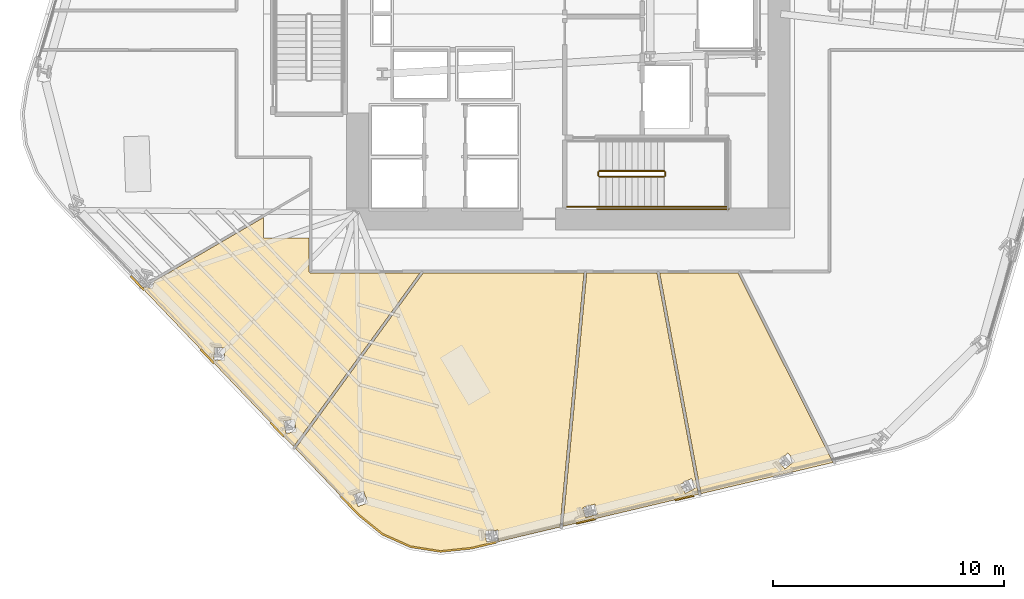
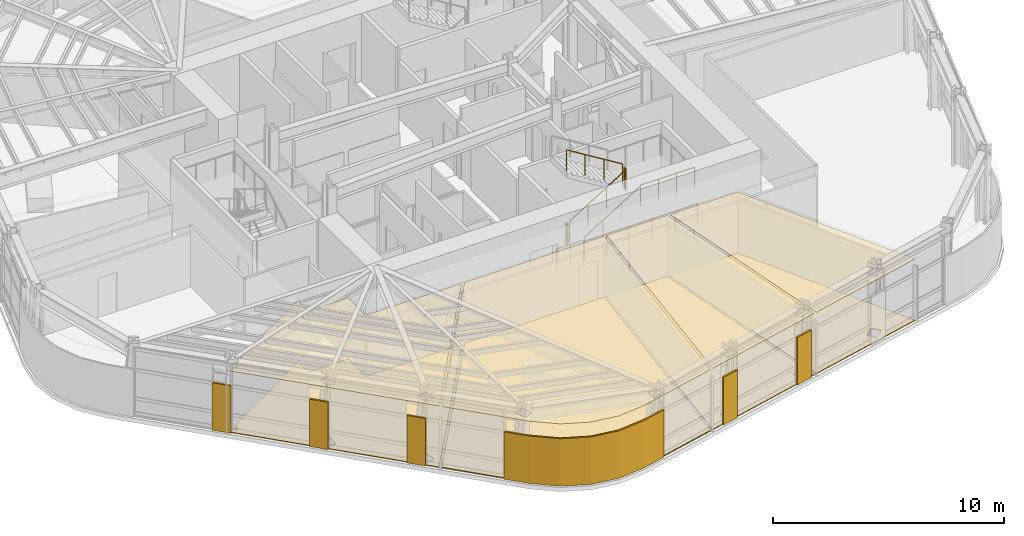
# One storey, part 12 of 17: 14 coverings, 8 railings.
"""IFC4 building model written with IfcOpenShell, lengths in metres."""

from ifc_helpers import new_model, si_unit, direction, frame, origin, origin_2d, place, context, subcontext, project, spatial, polyline, circle, outline, extrude, material, layer, layer_set, type_object, element, save


model = new_model("IFC4")

# Units and contexts
model_context = context("Model", 3, precision=1e-05, world=origin(), true_north=direction((0.0, 1.0)))
body_context = subcontext(model_context, "Body", "Model", "MODEL_VIEW")
ifc_project = project(units=[si_unit("LENGTHUNIT", "METRE"), si_unit("AREAUNIT", "SQUARE_METRE"), si_unit("VOLUMEUNIT", "CUBIC_METRE"), si_unit("PLANEANGLEUNIT", "RADIAN"), si_unit("MASSUNIT", "GRAM", prefix="KILO")], contexts=[model_context])

# Site, building, storey
site_placement = place(None, origin())
site = spatial("IfcSite", under=ifc_project, at=site_placement, CompositionType="ELEMENT")
building_placement = place(site_placement, origin())
building = spatial("IfcBuilding", under=site, at=building_placement, Name="Valkerne Bourse Tower", CompositionType="ELEMENT")
storey_placement = place(building_placement, frame((0.0, 0.0, 82.0)))
storey = spatial("IfcBuildingStorey", under=building, at=storey_placement, Name="L20", CompositionType="ELEMENT", Elevation=82.0)

# Coverings
ifc_material_1 = material(Name="Mineral Fiber Acoustic Ceiling Tile", Category="acoustic")
ifc_layer_1 = layer(ifc_material_1, 0.02490234375)
ifc_layer_set_1 = layer_set([ifc_layer_1], Name="Mineral Fiber Acoustic Ceiling Tile")
covering_type_1 = type_object("IfcCoveringType", Name="COV-CEIL-ACT", PredefinedType="CEILING", material=ifc_layer_set_1)
covering_1_placement = place(storey_placement, frame((0.0, 0.0, 3.22998046875)))
element("IfcCovering", 1, at=covering_1_placement, inside=storey, type_object=covering_type_1, Name="L20 Suspended Ceiling 03", PredefinedType="CEILING", context=body_context, shape_type="SweptSolid", body=[
    extrude(outline(polyline([(54.152099609375, 15.781005859375), (58.258544921875, 7.580322265625), (52.54736328125, 6.228515625), (50.759521484375, 15.781005859375), (54.152099609375, 15.781005859375)]), holes=[polyline([(56.180908203125, 7.2998046875), (56.5966796875, 7.6396484375), (56.312744140625, 7.988525390625), (56.309814453125, 7.987060546875), (55.89404296875, 7.6474609375), (56.177978515625, 7.298583984375), (56.180908203125, 7.2998046875)])]), origin(), (0.0, 0.0, 1.0), 0.02490234375),
])
covering_2_placement = place(storey_placement, frame((0.0, 0.0, 3.22998046875)))
element("IfcCovering", 2, at=covering_2_placement, inside=storey, type_object=covering_type_1, Name="L20 Suspended Ceiling 04", PredefinedType="CEILING", context=body_context, shape_type="SweptSolid", body=[
    extrude(outline(polyline([(50.6396484375, 15.781005859375), (52.432373046875, 6.201416015625), (46.56201171875, 4.811767578125), (47.598876953125, 15.781005859375), (50.6396484375, 15.781005859375)]), holes=[polyline([(48.070556640625, 5.33935546875), (47.94921875, 5.7724609375), (47.946044921875, 5.7724609375), (47.42919921875, 5.62646484375), (47.55078125, 5.193359375), (47.553955078125, 5.193359375), (48.070556640625, 5.33935546875)]), polyline([(52.3408203125, 6.48779296875), (52.1337890625, 6.88720703125), (52.130859375, 6.886474609375), (51.654541015625, 6.638427734375), (51.861572265625, 6.239013671875), (51.864501953125, 6.239990234375), (52.3408203125, 6.48779296875)])]), origin(), (0.0, 0.0, 1.0), 0.02490234375),
])
covering_3_placement = place(storey_placement, frame((0.0, 0.0, 3.22998046875)))
element("IfcCovering", 3, at=covering_3_placement, inside=storey, type_object=covering_type_1, Name="L20 Suspended Ceiling 05", PredefinedType="CEILING", context=body_context, shape_type="SweptSolid", body=[
    extrude(outline(polyline([(35.5810546875, 15.849609375), (35.587890625, 15.820068359375), (35.6083984375, 15.794677734375), (35.6494140625, 15.781005859375), (40.37060546875, 15.781005859375), (34.90869140625, 8.268310546875), (28.35888671875, 15.12646484375), (28.460693359375, 15.185791015625), (28.792236328125, 15.101806640625), (28.8759765625, 15.427978515625), (33.60009765625, 18.18310546875), (33.60009765625, 17.300048828125), (35.5810546875, 17.300048828125), (35.5810546875, 15.849609375)]), holes=[polyline([(34.93994140625, 9.44287109375), (34.9375, 9.444580078125), (34.494140625, 9.3720703125), (34.5791015625, 8.8408203125), (34.58154296875, 8.839111328125), (35.024658203125, 8.91162109375), (34.93994140625, 9.44287109375)]), polyline([(31.935791015625, 12.54052734375), (31.487060546875, 12.5595703125), (31.462158203125, 12.022216796875), (31.46435546875, 12.02001953125), (31.9130859375, 12.0009765625), (31.93798828125, 12.538330078125), (31.935791015625, 12.54052734375)])]), origin(), (0.0, 0.0, 1.0), 0.02490234375),
])
covering_4_placement = place(storey_placement, frame((0.0, 0.0, 3.22998046875)))
element("IfcCovering", 4, at=covering_4_placement, inside=storey, type_object=covering_type_1, Name="L20 Suspended Ceiling 09", PredefinedType="CEILING", context=body_context, shape_type="SweptSolid", body=[
    extrude(outline(polyline([(39.969482421875, 3.940185546875), (38.763916015625, 4.476806640625), (37.730712890625, 5.313232421875), (34.991455078125, 8.181640625), (40.516357421875, 15.781005859375), (47.480224609375, 15.781005859375), (46.440673828125, 4.782958984375), (42.5947265625, 3.87255859375), (41.272705078125, 3.733642578125), (39.969482421875, 3.940185546875)]), holes=[polyline([(43.7900390625, 4.201416015625), (43.752197265625, 4.649658203125), (43.7490234375, 4.650146484375), (43.21435546875, 4.60400390625), (43.252197265625, 4.155517578125), (43.255615234375, 4.155029296875), (43.7900390625, 4.201416015625)]), polyline([(37.939697265625, 6.332763671875), (37.9365234375, 6.334228515625), (37.51513671875, 6.179443359375), (37.6982421875, 5.673828125), (37.701416015625, 5.672607421875), (38.122802734375, 5.8271484375), (37.939697265625, 6.332763671875)])]), origin(), (0.0, 0.0, 1.0), 0.02490234375),
])
ifc_material_2 = material(Name="Bronze Anodised Aluminium AA 6063-T6", Category="aluminium")
ifc_layer_2 = layer(ifc_material_2, 0.06005859375)
ifc_layer_set_2 = layer_set([ifc_layer_2], Name="Bronze Anodised Aluminium AA 6063-T6")
covering_type_2 = type_object("IfcCoveringType", Name="COV-CRN-ALUM", PredefinedType="CLADDING", material=ifc_layer_set_2)
covering_5_placement = place(storey_placement, origin())
element("IfcCovering", 5, at=covering_5_placement, inside=storey, type_object=covering_type_2, Name="L20 Wind-Shaped Corner Aluminium Cladding 03", PredefinedType="CLADDING", context=body_context, shape_type="SweptSolid", body=[
    extrude(outline(polyline([(51.42919921875, 5.918701171875), (51.410400390625, 5.996337890625), (52.22802734375, 6.18994140625), (52.24658203125, 6.112060546875), (51.42919921875, 5.918701171875)])), origin(), (0.0, 0.0, 1.0), 2.5),
])
covering_6_placement = place(storey_placement, origin())
element("IfcCovering", 6, at=covering_6_placement, inside=storey, type_object=covering_type_2, Name="L20 Wind-Shaped Corner Aluminium Cladding 04", PredefinedType="CLADDING", context=body_context, shape_type="SweptSolid", body=[
    extrude(outline(polyline([(47.1640625, 4.9091796875), (47.1455078125, 4.98681640625), (47.962890625, 5.180419921875), (47.9814453125, 5.1025390625), (47.1640625, 4.9091796875)])), origin(), (0.0, 0.0, 1.0), 2.5),
])
covering_7_placement = place(storey_placement, origin())
element("IfcCovering", 7, at=covering_7_placement, inside=storey, type_object=covering_type_2, Name="L20 Wind-Shaped Corner Aluminium Cladding 05", PredefinedType="CLADDING", context=body_context, shape_type="SweptSolid", body=[
    extrude(outline(polyline([(42.60205078125, 3.8291015625), (41.271484375, 3.689208984375), (39.956787109375, 3.8974609375), (38.74072265625, 4.43896484375), (37.700927734375, 5.281005859375), (36.91015625, 6.10888671875), (36.968017578125, 6.1640625), (37.755126953125, 5.33984375), (38.782958984375, 4.5078125), (39.979736328125, 3.974853515625), (41.273681640625, 3.77001953125), (42.588623046875, 3.908203125), (43.69775390625, 4.170654296875), (43.71630859375, 4.093017578125), (42.60205078125, 3.8291015625)])), origin(), (0.0, 0.0, 1.0), 2.5),
])
covering_8_placement = place(storey_placement, origin())
element("IfcCovering", 8, at=covering_8_placement, inside=storey, type_object=covering_type_2, Name="L20 Wind-Shaped Corner Aluminium Cladding 06", PredefinedType="CLADDING", context=body_context, shape_type="SweptSolid", body=[
    extrude(outline(polyline([(33.8828125, 9.27880859375), (33.94091796875, 9.333740234375), (34.52099609375, 8.726318359375), (34.462890625, 8.671142578125), (33.8828125, 9.27880859375)])), origin(), (0.0, 0.0, 1.0), 2.5),
])
covering_9_placement = place(storey_placement, origin())
element("IfcCovering", 9, at=covering_9_placement, inside=storey, type_object=covering_type_2, Name="L20 Wind-Shaped Corner Aluminium Cladding 07", PredefinedType="CLADDING", context=body_context, shape_type="SweptSolid", body=[
    extrude(outline(polyline([(30.855712890625, 12.448486328125), (30.913818359375, 12.50341796875), (31.493896484375, 11.89599609375), (31.435791015625, 11.841064453125), (30.855712890625, 12.448486328125)])), origin(), (0.0, 0.0, 1.0), 2.5),
])
covering_10_placement = place(storey_placement, origin())
element("IfcCovering", 10, at=covering_10_placement, inside=storey, type_object=covering_type_2, Name="L20 Wind-Shaped Corner Aluminium Cladding 08", PredefinedType="CLADDING", context=body_context, shape_type="SweptSolid", body=[
    extrude(outline(polyline([(27.82861328125, 15.6181640625), (27.88671875, 15.673095703125), (28.466796875, 15.065673828125), (28.40869140625, 15.010498046875), (27.82861328125, 15.6181640625)])), origin(), (0.0, 0.0, 1.0), 2.5),
])
ifc_material_3 = material(Name="Galvanised Painted Steel", Category="steel")
ifc_layer_3 = layer(ifc_material_3, 0.044921875)
ifc_layer_set_3 = layer_set([ifc_layer_3], Name="Galvanised Painted Steel")
covering_type_3 = type_object("IfcCoveringType", Name="COV-FLR-RAF", PredefinedType="FLOORING", material=ifc_layer_set_3)
covering_11_placement = place(storey_placement, origin())
element("IfcCovering", 11, at=covering_11_placement, inside=storey, type_object=covering_type_3, Name="L20 Floor Finish 09", PredefinedType="FLOORING", context=body_context, shape_type="SweptSolid", body=[
    extrude(outline(polyline([(39.969482421875, 3.940185546875), (38.763916015625, 4.476806640625), (37.730712890625, 5.313232421875), (34.991455078125, 8.181640625), (40.516357421875, 15.781005859375), (47.480224609375, 15.781005859375), (46.440673828125, 4.782958984375), (42.5947265625, 3.87255859375), (41.272705078125, 3.733642578125), (39.969482421875, 3.940185546875)]), holes=[polyline([(43.7900390625, 4.201416015625), (43.752197265625, 4.649658203125), (43.7490234375, 4.650146484375), (43.21435546875, 4.60400390625), (43.252197265625, 4.155517578125), (43.255615234375, 4.155029296875), (43.7900390625, 4.201416015625)]), polyline([(37.939697265625, 6.332763671875), (37.9365234375, 6.334228515625), (37.51513671875, 6.179443359375), (37.6982421875, 5.673828125), (37.701416015625, 5.672607421875), (38.122802734375, 5.8271484375), (37.939697265625, 6.332763671875)])]), origin(), (0.0, 0.0, 1.0), 0.044921875),
])
ifc_material_4 = material(Name="Polished Granite Stone", Category="masonry")
ifc_layer_4 = layer(ifc_material_4, 0.030029296875)
ifc_layer_set_4 = layer_set([ifc_layer_4], Name="Polished Granite Stone")
covering_type_4 = type_object("IfcCoveringType", Name="COV-FLR-TERRAZZO", PredefinedType="FLOORING", material=ifc_layer_set_4)
covering_12_placement = place(storey_placement, origin())
element("IfcCovering", 12, at=covering_12_placement, inside=storey, type_object=covering_type_4, Name="L20 Floor Finish 03", PredefinedType="FLOORING", context=body_context, shape_type="SweptSolid", body=[
    extrude(outline(polyline([(54.152099609375, 15.781005859375), (58.258544921875, 7.580322265625), (52.54736328125, 6.228515625), (50.759521484375, 15.781005859375), (54.152099609375, 15.781005859375)]), holes=[polyline([(56.180908203125, 7.2998046875), (56.5966796875, 7.6396484375), (56.312744140625, 7.988525390625), (56.309814453125, 7.987060546875), (55.89404296875, 7.6474609375), (56.177978515625, 7.298583984375), (56.180908203125, 7.2998046875)])]), origin(), (0.0, 0.0, 1.0), 0.030029296875),
])
covering_13_placement = place(storey_placement, origin())
element("IfcCovering", 13, at=covering_13_placement, inside=storey, type_object=covering_type_4, Name="L20 Floor Finish 04", PredefinedType="FLOORING", context=body_context, shape_type="SweptSolid", body=[
    extrude(outline(polyline([(50.6396484375, 15.781005859375), (52.432373046875, 6.201416015625), (46.56201171875, 4.811767578125), (47.598876953125, 15.781005859375), (50.6396484375, 15.781005859375)]), holes=[polyline([(48.070556640625, 5.33935546875), (47.94921875, 5.7724609375), (47.946044921875, 5.7724609375), (47.42919921875, 5.62646484375), (47.55078125, 5.193359375), (47.553955078125, 5.193359375), (48.070556640625, 5.33935546875)]), polyline([(52.3408203125, 6.48779296875), (52.1337890625, 6.88720703125), (52.130859375, 6.886474609375), (51.654541015625, 6.638427734375), (51.861572265625, 6.239013671875), (51.864501953125, 6.239990234375), (52.3408203125, 6.48779296875)])]), origin(), (0.0, 0.0, 1.0), 0.030029296875),
])
covering_14_placement = place(storey_placement, origin())
element("IfcCovering", 14, at=covering_14_placement, inside=storey, type_object=covering_type_4, Name="L20 Floor Finish 05", PredefinedType="FLOORING", context=body_context, shape_type="SweptSolid", body=[
    extrude(outline(polyline([(35.5810546875, 15.849609375), (35.587890625, 15.820068359375), (35.6083984375, 15.794677734375), (35.6494140625, 15.781005859375), (40.37060546875, 15.781005859375), (34.90869140625, 8.268310546875), (28.35888671875, 15.12646484375), (28.460693359375, 15.185791015625), (28.792236328125, 15.101806640625), (28.8759765625, 15.427978515625), (33.60009765625, 18.18310546875), (33.60009765625, 17.300048828125), (35.5810546875, 17.300048828125), (35.5810546875, 15.849609375)]), holes=[polyline([(34.93994140625, 9.44287109375), (34.9375, 9.444580078125), (34.494140625, 9.3720703125), (34.5791015625, 8.8408203125), (34.58154296875, 8.839111328125), (35.024658203125, 8.91162109375), (34.93994140625, 9.44287109375)]), polyline([(31.935791015625, 12.54052734375), (31.487060546875, 12.5595703125), (31.462158203125, 12.022216796875), (31.46435546875, 12.02001953125), (31.9130859375, 12.0009765625), (31.93798828125, 12.538330078125), (31.935791015625, 12.54052734375)])]), origin(), (0.0, 0.0, 1.0), 0.030029296875),
])

# Railings
railing_type_1 = type_object("IfcRailingType", Name="RLG-ST-GUARD-1120", PredefinedType="GUARDRAIL", material=ifc_material_3)
railing_1_placement = place(storey_placement, frame((48.14990234375, 19.949951171875, 0.172607421875)))
element("IfcRailing", 15, at=railing_1_placement, inside=storey, type_object=railing_type_1, Name="L20 ST-1 stair guard 1", PredefinedType="GUARDRAIL", context=body_context, shape_type="SweptSolid", body=[
    extrude(circle(Radius=0.02392578125, at=origin_2d()), frame((0.0, 0.0, 1.09619140625), z_axis=(0.851089632645, 0.0, 0.525020415988), x_axis=(0.0, 1.0, 0.0)), (0.0, 0.0, 1.0), 3.2900390625),
    extrude(circle(Radius=0.02099609375, at=origin_2d()), origin(), (0.0, 0.0, 1.0), 1.072021484375),
    extrude(circle(Radius=0.02099609375, at=origin_2d()), frame((0.933349609375, 0.0, 0.57568359375)), (0.0, 0.0, 1.0), 1.072021484375),
    extrude(circle(Radius=0.02099609375, at=origin_2d()), frame((1.86669921875, 0.0, 1.151611328125)), (0.0, 0.0, 1.0), 1.072021484375),
    extrude(circle(Radius=0.02099609375, at=origin_2d()), frame((2.800048828125, 0.0, 1.727294921875)), (0.0, 0.0, 1.0), 1.072021484375),
])
railing_2_placement = place(storey_placement, frame((51.0, 20.0, 1.89990234375)))
element("IfcRailing", 16, at=railing_2_placement, inside=storey, type_object=railing_type_1, Name="L20 ST-1 stair guard 2", PredefinedType="GUARDRAIL", context=body_context, shape_type="SweptSolid", body=[
    extrude(circle(Radius=0.02392578125, at=origin_2d()), frame((0.0, 0.0, 1.09619140625), z_axis=(0.0, 1.0, 0.0), x_axis=(-1.0, 0.0, 0.0)), (0.0, 0.0, 1.0), 0.14990234375),
    extrude(circle(Radius=0.02099609375, at=origin_2d()), origin(), (0.0, 0.0, 1.0), 1.072021484375),
    extrude(circle(Radius=0.02099609375, at=origin_2d()), frame((0.0, 0.14990234375, 0.0)), (0.0, 0.0, 1.0), 1.072021484375),
])
railing_3_placement = place(storey_placement, frame((50.949951171875, 18.64990234375, 1.89990234375)))
element("IfcRailing", 17, at=railing_3_placement, inside=storey, type_object=railing_type_1, Name="L20 ST-1 stair guard 3", PredefinedType="GUARDRAIL", context=body_context, shape_type="SweptSolid", body=[
    extrude(circle(Radius=0.02392578125, at=origin_2d()), frame((0.0, 0.0, 1.09619140625), z_axis=(1.0, 0.0, 0.0), x_axis=(0.0, 1.0, 0.0)), (0.0, 0.0, 1.0), 2.699951171875),
    extrude(circle(Radius=0.02099609375, at=origin_2d()), origin(), (0.0, 0.0, 1.0), 1.072021484375),
    extrude(circle(Radius=0.02099609375, at=origin_2d()), frame((0.89990234375, 0.0, 0.0)), (0.0, 0.0, 1.0), 1.072021484375),
    extrude(circle(Radius=0.02099609375, at=origin_2d()), frame((1.800048828125, 0.0, 0.0)), (0.0, 0.0, 1.0), 1.072021484375),
    extrude(circle(Radius=0.02099609375, at=origin_2d()), frame((2.699951171875, 0.0, 0.0)), (0.0, 0.0, 1.0), 1.072021484375),
])
railing_4_placement = place(storey_placement, frame((50.949951171875, 20.199951171875, 2.07275390625)))
element("IfcRailing", 18, at=railing_4_placement, inside=storey, type_object=railing_type_1, Name="L20 ST-1 stair guard 6", PredefinedType="GUARDRAIL", context=body_context, shape_type="SweptSolid", body=[
    extrude(circle(Radius=0.02392578125, at=origin_2d()), frame((0.0, 0.0, 1.09619140625), z_axis=(-0.851089632645, 0.0, 0.525020415988), x_axis=(0.0, -1.0, 0.0)), (0.0, 0.0, 1.0), 3.2900390625),
    extrude(circle(Radius=0.02099609375, at=origin_2d()), origin(), (0.0, 0.0, 1.0), 1.072021484375),
    extrude(circle(Radius=0.02099609375, at=origin_2d()), frame((-0.933349609375, 0.0, 0.57568359375)), (0.0, 0.0, 1.0), 1.072021484375),
    extrude(circle(Radius=0.02099609375, at=origin_2d()), frame((-1.86669921875, 0.0, 1.151611328125)), (0.0, 0.0, 1.0), 1.072021484375),
    extrude(circle(Radius=0.02099609375, at=origin_2d()), frame((-2.800048828125, 0.0, 1.727294921875)), (0.0, 0.0, 1.0), 1.072021484375),
])
railing_5_placement = place(storey_placement, frame((48.10009765625, 20.0, 0.0)))
element("IfcRailing", 19, at=railing_5_placement, inside=storey, type_object=railing_type_1, Name="L20 ST-1 stair guard 7", PredefinedType="GUARDRAIL", context=body_context, shape_type="SweptSolid", body=[
    extrude(circle(Radius=0.02392578125, at=origin_2d()), frame((0.0, 0.0, 1.09619140625), z_axis=(0.0, 1.0, 0.0), x_axis=(-1.0, 0.0, 0.0)), (0.0, 0.0, 1.0), 0.14990234375),
    extrude(circle(Radius=0.02099609375, at=origin_2d()), origin(), (0.0, 0.0, 1.0), 1.072021484375),
    extrude(circle(Radius=0.02099609375, at=origin_2d()), frame((0.0, 0.14990234375, 0.0)), (0.0, 0.0, 1.0), 1.072021484375),
])
railing_6_placement = place(storey_placement, frame((46.75, 18.64990234375, 0.0)))
element("IfcRailing", 20, at=railing_6_placement, inside=storey, type_object=railing_type_1, Name="L20 ST-1 stair guard 8", PredefinedType="GUARDRAIL", context=body_context, shape_type="SweptSolid", body=[
    extrude(circle(Radius=0.02392578125, at=origin_2d()), frame((0.0, 0.0, 1.09619140625), z_axis=(1.0, 0.0, 0.0), x_axis=(0.0, 1.0, 0.0)), (0.0, 0.0, 1.0), 1.39990234375),
    extrude(circle(Radius=0.02099609375, at=origin_2d()), origin(), (0.0, 0.0, 1.0), 1.072021484375),
    extrude(circle(Radius=0.02099609375, at=origin_2d()), frame((0.699951171875, 0.0, 0.0)), (0.0, 0.0, 1.0), 1.072021484375),
    extrude(circle(Radius=0.02099609375, at=origin_2d()), frame((1.39990234375, 0.0, 0.0)), (0.0, 0.0, 1.0), 1.072021484375),
])
railing_7_placement = place(storey_placement, frame((48.050048828125, 18.550048828125, 0.0)))
element("IfcRailing", 21, at=railing_7_placement, inside=storey, type_object=railing_type_1, Name="L20 ST-1 stair guard 10", PredefinedType="GUARDRAIL", context=body_context, shape_type="SweptSolid", body=[
    extrude(circle(Radius=0.02392578125, at=origin_2d()), frame((0.0, 0.0, 1.09619140625), z_axis=(1.0, 0.0, 0.0), x_axis=(0.0, 1.0, 0.0)), (0.0, 0.0, 1.0), 5.699951171875),
    extrude(circle(Radius=0.02099609375, at=origin_2d()), origin(), (0.0, 0.0, 1.0), 1.072021484375),
    extrude(circle(Radius=0.02099609375, at=origin_2d()), frame((1.139892578125, 0.0, 0.0)), (0.0, 0.0, 1.0), 1.072021484375),
    extrude(circle(Radius=0.02099609375, at=origin_2d()), frame((2.280029296875, 0.0, 0.0)), (0.0, 0.0, 1.0), 1.072021484375),
    extrude(circle(Radius=0.02099609375, at=origin_2d()), frame((3.419921875, 0.0, 0.0)), (0.0, 0.0, 1.0), 1.072021484375),
    extrude(circle(Radius=0.02099609375, at=origin_2d()), frame((4.56005859375, 0.0, 0.0)), (0.0, 0.0, 1.0), 1.072021484375),
    extrude(circle(Radius=0.02099609375, at=origin_2d()), frame((5.699951171875, 0.0, 0.0)), (0.0, 0.0, 1.0), 1.072021484375),
])
ifc_material_5 = material(Name="Stainless Steel AISI 316", Category="steel")
railing_type_2 = type_object("IfcRailingType", Name="RLG-ST-HANDRAIL-900", PredefinedType="HANDRAIL", material=ifc_material_5)
railing_8_placement = place(storey_placement, frame((48.14990234375, 18.64990234375, 0.345458984375)))
element("IfcRailing", 22, at=railing_8_placement, inside=storey, type_object=railing_type_2, Name="L20 ST-1 stair handrail 1", PredefinedType="HANDRAIL", context=body_context, shape_type="SweptSolid", body=[
    extrude(circle(Radius=0.02392578125, at=origin_2d()), frame((0.0, 0.0, 0.8759765625), z_axis=(0.851089632645, 0.0, 0.525020415988), x_axis=(0.0, 1.0, 0.0)), (0.0, 0.0, 1.0), 3.2900390625),
    extrude(circle(Radius=0.02099609375, at=origin_2d()), origin(), (0.0, 0.0, 1.0), 0.851806640625),
    extrude(circle(Radius=0.02099609375, at=origin_2d()), frame((0.933349609375, 0.0, 0.57568359375)), (0.0, 0.0, 1.0), 0.851806640625),
    extrude(circle(Radius=0.02099609375, at=origin_2d()), frame((1.86669921875, 0.0, 1.151611328125)), (0.0, 0.0, 1.0), 0.851806640625),
    extrude(circle(Radius=0.02099609375, at=origin_2d()), frame((2.800048828125, 0.0, 1.727294921875)), (0.0, 0.0, 1.0), 0.851806640625),
])

save(model, "model.ifc")
